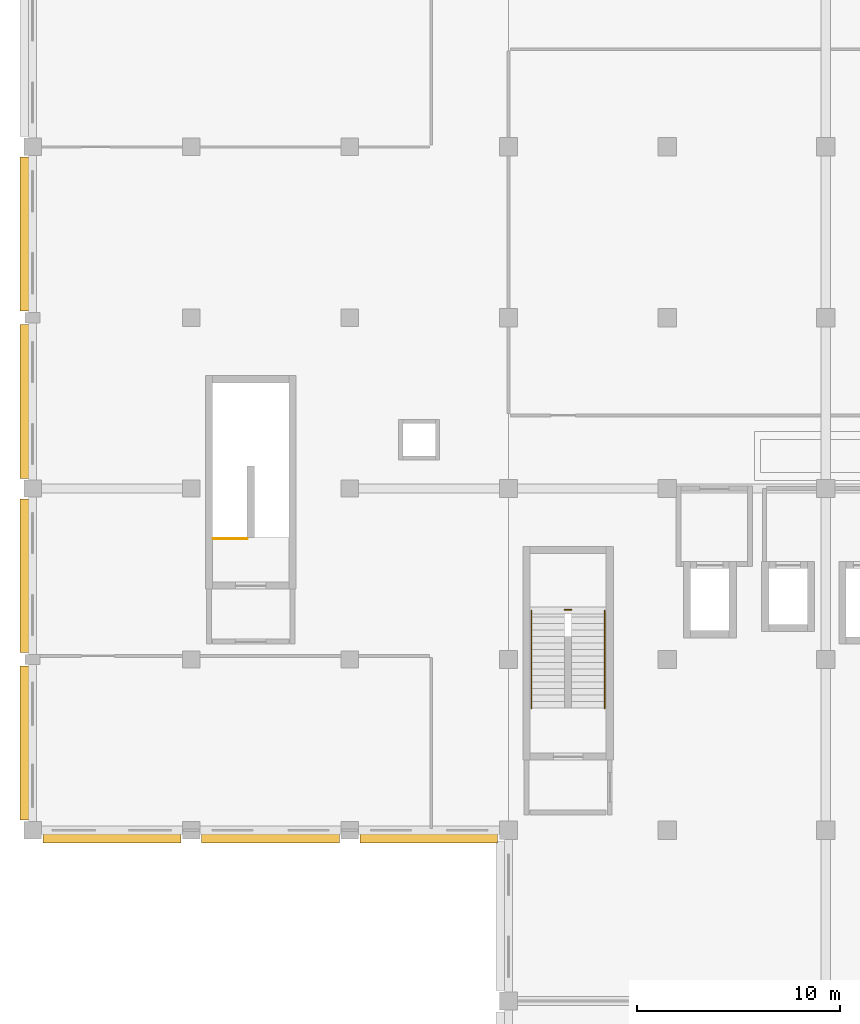
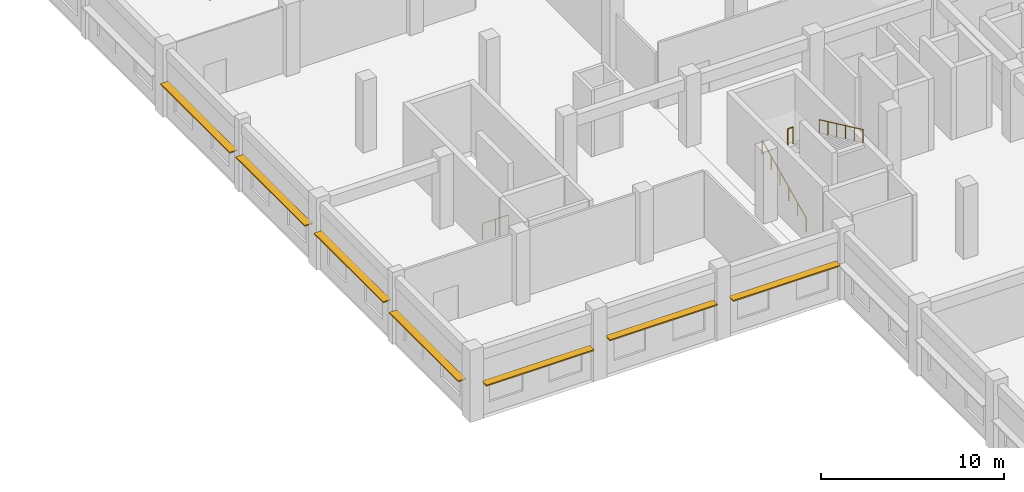
# One storey, part 68 of 79: 7 shading devices, 4 railings.
"""IFC4 building model written with IfcOpenShell, lengths in metres."""

from ifc_helpers import new_model, si_unit, direction, frame, origin, origin_2d, place, context, subcontext, project, spatial, rectangle, circle, extrude, material, layer, layer_set, type_object, element, save


model = new_model("IFC4")

# Units and contexts
model_context = context("Model", 3, precision=1e-05, world=origin(), true_north=direction((0.0, 1.0)))
body_context = subcontext(model_context, "Body", "Model", "MODEL_VIEW")
ifc_project = project(units=[si_unit("LENGTHUNIT", "METRE"), si_unit("AREAUNIT", "SQUARE_METRE"), si_unit("VOLUMEUNIT", "CUBIC_METRE"), si_unit("PLANEANGLEUNIT", "RADIAN"), si_unit("MASSUNIT", "GRAM", prefix="KILO"), si_unit("THERMODYNAMICTEMPERATUREUNIT", "KELVIN"), si_unit("POWERUNIT", "WATT")], contexts=[model_context])

# Site, building, storey
site_placement = place(None, origin())
site = spatial("IfcSite", under=ifc_project, at=site_placement, CompositionType="ELEMENT")
building_placement = place(site_placement, origin())
building = spatial("IfcBuilding", under=site, at=building_placement, Name="Srebrne Nadtorze General Hospital", CompositionType="ELEMENT")
storey_placement = place(building_placement, frame((0.0, 0.0, 4.800048828125)))
storey = spatial("IfcBuildingStorey", under=building, at=storey_placement, Name="L01", CompositionType="ELEMENT", Elevation=4.800048828125)

# Shading devices
ifc_material_1 = material(Name="Anodised Aluminium", Category="aluminium")
ifc_layer = layer(ifc_material_1, 0.080078125)
ifc_layer_set = layer_set([ifc_layer], Name="Anodised Aluminium")
shading_device_type = type_object("IfcShadingDeviceType", Name="Hisashi horizontal aluminium sunshade", PredefinedType="JALOUSIE", material=ifc_layer_set)
for number, where, z_axis, x_axis, name in (
    (1, (3.89990234375, 33.219970703125, 2.219970703125), (0.0, 0.0, 1.0), (1.0, 0.0, 0.0), "Hisashi horizontal sunshade eave LV-088"),
    (2, (11.699951171875, 33.219970703125, 2.52001953125), (0.0, 0.0, 1.0), (1.0, 0.0, 0.0), "Hisashi horizontal sunshade eave LV-089"),
):
    element("IfcShadingDevice", number, at=place(storey_placement, frame(where, z_axis=z_axis, x_axis=x_axis)), inside=storey, type_object=shading_device_type, Name=name, PredefinedType="JALOUSIE", context=body_context, shape_type="SweptSolid", body=[
        extrude(rectangle(XDim=6.7900390625, YDim=0.47998046875, at=origin_2d()), origin(), (0.0, 0.0, 1.0), 0.080078125),
    ])
shading_device_placement = place(storey_placement, frame((19.487548828125, 33.219970703125, 2.419921875), z_axis=(0.0, 0.0, 1.0), x_axis=(1.0, 0.0, 0.0)))
element("IfcShadingDevice", 3, at=shading_device_placement, inside=storey, type_object=shading_device_type, Name="Hisashi horizontal sunshade eave LV-090", PredefinedType="JALOUSIE", context=body_context, shape_type="SweptSolid", body=[
    extrude(rectangle(XDim=6.764892578125, YDim=0.47998046875, at=origin_2d()), origin(), (0.0, 0.0, 1.0), 0.080078125),
])
for number, where, z_axis, x_axis, name in (
    (4, (-0.3798828125, 37.887451171875, 2.219970703125), (0.0, 0.0, 1.0), (1.0, 0.0, 0.0), "Hisashi horizontal sunshade eave LV-094"),
    (5, (-0.3798828125, 46.112548828125, 2.52001953125), (0.0, 0.0, 1.0), (1.0, 0.0, 0.0), "Hisashi horizontal sunshade eave LV-095"),
    (6, (-0.3798828125, 54.6875, 2.419921875), (0.0, 0.0, 1.0), (1.0, 0.0, 0.0), "Hisashi horizontal sunshade eave LV-096"),
    (7, (-0.3798828125, 62.91259765625, 2.31982421875), (0.0, 0.0, 1.0), (1.0, 0.0, 0.0), "Hisashi horizontal sunshade eave LV-097"),
):
    element("IfcShadingDevice", number, at=place(storey_placement, frame(where, z_axis=z_axis, x_axis=x_axis)), inside=storey, type_object=shading_device_type, Name=name, PredefinedType="JALOUSIE", context=body_context, shape_type="SweptSolid", body=[
        extrude(rectangle(XDim=0.47998046875, YDim=7.56494140625, at=origin_2d()), origin(), (0.0, 0.0, 1.0), 0.080078125),
    ])

# Railings
ifc_material_2 = material(Name="Stainless Steel 316", Category="steel")
railing_type_1 = type_object("IfcRailingType", Name="Stairwell safety guard 1120", PredefinedType="BALUSTRADE", material=ifc_material_2)
railing_1_placement = place(storey_placement, frame((26.1650390625, 44.43994140625, 2.39990234375)))
element("IfcRailing", 8, at=railing_1_placement, inside=storey, type_object=railing_type_1, Name="Half landing well guard ST-01-L01", PredefinedType="BALUSTRADE", context=body_context, shape_type="SweptSolid", body=[
    extrude(circle(Radius=0.02392578125, at=origin_2d()), frame((0.0, 0.0, 1.09619140625), z_axis=(1.0, 0.0, 0.0), x_axis=(0.0, 1.0, 0.0)), (0.0, 0.0, 1.0), 0.320068359375),
    extrude(circle(Radius=0.02099609375, at=origin_2d()), origin(), (0.0, 0.0, 1.0), 1.072021484375),
    extrude(circle(Radius=0.02099609375, at=origin_2d()), frame((0.320068359375, 0.0, 0.0)), (0.0, 0.0, 1.0), 1.072021484375),
])
railing_2_placement = place(storey_placement, frame((8.889892578125, 47.93994140625, 0.0)))
element("IfcRailing", 9, at=railing_2_placement, inside=storey, type_object=railing_type_1, Name="Top stairwell guard ST-05", PredefinedType="BALUSTRADE", context=body_context, shape_type="SweptSolid", body=[
    extrude(circle(Radius=0.02392578125, at=origin_2d()), frame((0.0, 0.0, 1.09619140625), z_axis=(1.0, 0.0, 0.0), x_axis=(0.0, 1.0, 0.0)), (0.0, 0.0, 1.0), 1.655029296875),
    extrude(circle(Radius=0.02099609375, at=origin_2d()), origin(), (0.0, 0.0, 1.0), 1.072021484375),
    extrude(circle(Radius=0.02099609375, at=origin_2d()), frame((0.82763671875, 0.0, 0.0)), (0.0, 0.0, 1.0), 1.072021484375),
    extrude(circle(Radius=0.02099609375, at=origin_2d()), frame((1.655029296875, 0.0, 0.0)), (0.0, 0.0, 1.0), 1.072021484375),
])
ifc_material_3 = material(Name="Stainless Steel 316", Category="steel")
railing_type_2 = type_object("IfcRailingType", Name="Tubular stainless handrail 920", PredefinedType="HANDRAIL", material=ifc_material_3)
railing_3_placement = place(storey_placement, frame((24.530029296875, 39.60009765625, 0.14990234375)))
element("IfcRailing", 10, at=railing_3_placement, inside=storey, type_object=railing_type_2, Name="Stair flight handrail ST-01-L01 F1", PredefinedType="HANDRAIL", context=body_context, shape_type="SweptSolid", body=[
    extrude(circle(Radius=0.02392578125, at=origin_2d()), frame((0.0, 0.0, 0.89599609375), z_axis=(0.0, 0.905452298538, 0.424448035774), x_axis=(-1.0, 0.0, 0.0)), (0.0, 0.0, 1.0), 5.301025390625),
    extrude(circle(Radius=0.02099609375, at=origin_2d()), origin(), (0.0, 0.0, 1.0), 0.871826171875),
    extrude(circle(Radius=0.02099609375, at=origin_2d()), frame((0.0, 0.9599609375, 0.449951171875)), (0.0, 0.0, 1.0), 0.871826171875),
    extrude(circle(Radius=0.02099609375, at=origin_2d()), frame((0.0, 1.919921875, 0.89990234375)), (0.0, 0.0, 1.0), 0.871826171875),
    extrude(circle(Radius=0.02099609375, at=origin_2d()), frame((0.0, 2.8798828125, 1.35009765625)), (0.0, 0.0, 1.0), 0.871826171875),
    extrude(circle(Radius=0.02099609375, at=origin_2d()), frame((0.0, 3.83984375, 1.800048828125)), (0.0, 0.0, 1.0), 0.871826171875),
    extrude(circle(Radius=0.02099609375, at=origin_2d()), frame((0.0, 4.7998046875, 2.25)), (0.0, 0.0, 1.0), 0.871826171875),
])
railing_4_placement = place(storey_placement, frame((28.1201171875, 44.39990234375, 2.550048828125)))
element("IfcRailing", 11, at=railing_4_placement, inside=storey, type_object=railing_type_2, Name="Stair flight handrail ST-01-L01 F2", PredefinedType="HANDRAIL", context=body_context, shape_type="SweptSolid", body=[
    extrude(circle(Radius=0.02392578125, at=origin_2d()), frame((0.0, 0.0, 0.89599609375), z_axis=(0.0, -0.905452298538, 0.424448035774), x_axis=(1.0, 0.0, 0.0)), (0.0, 0.0, 1.0), 5.301025390625),
    extrude(circle(Radius=0.02099609375, at=origin_2d()), origin(), (0.0, 0.0, 1.0), 0.871826171875),
    extrude(circle(Radius=0.02099609375, at=origin_2d()), frame((0.0, -0.9599609375, 0.449951171875)), (0.0, 0.0, 1.0), 0.871826171875),
    extrude(circle(Radius=0.02099609375, at=origin_2d()), frame((0.0, -1.919921875, 0.89990234375)), (0.0, 0.0, 1.0), 0.871826171875),
    extrude(circle(Radius=0.02099609375, at=origin_2d()), frame((0.0, -2.8798828125, 1.35009765625)), (0.0, 0.0, 1.0), 0.871826171875),
    extrude(circle(Radius=0.02099609375, at=origin_2d()), frame((0.0, -3.83984375, 1.800048828125)), (0.0, 0.0, 1.0), 0.871826171875),
    extrude(circle(Radius=0.02099609375, at=origin_2d()), frame((0.0, -4.7998046875, 2.25)), (0.0, 0.0, 1.0), 0.871826171875),
])

save(model, "model.ifc")
